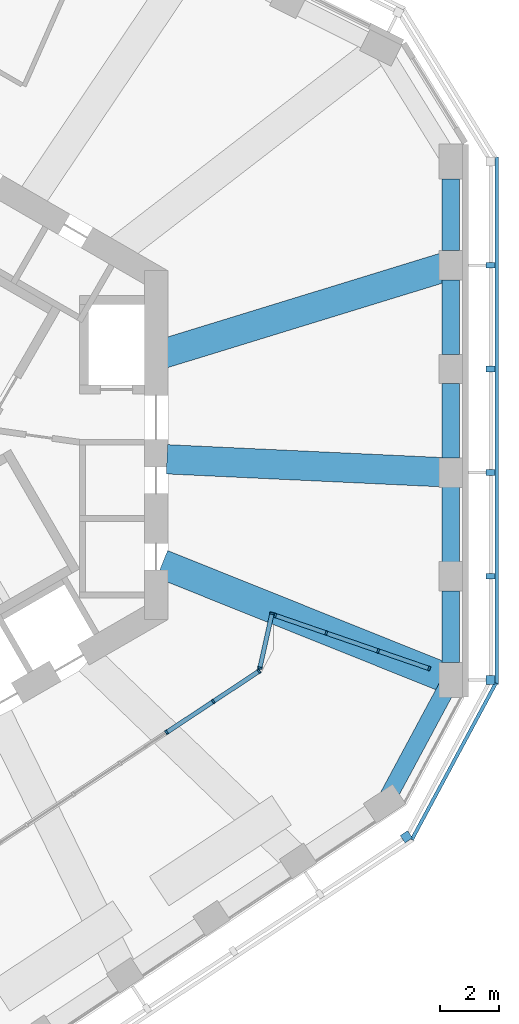
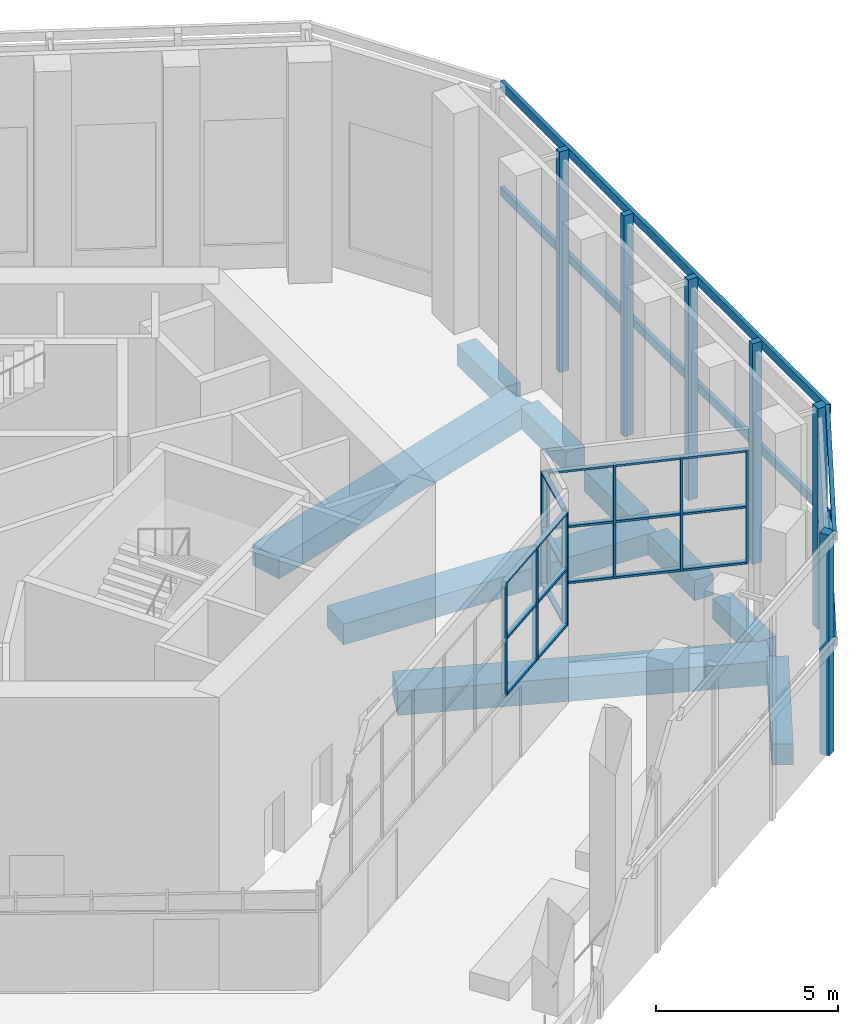
# One storey, part 5 of 17: 37 members, 9 beams, 6 elements without a shape of their own.
"""IFC4 building model written with IfcOpenShell, lengths in metres."""

from ifc_helpers import new_model, si_unit, direction, frame, origin, origin_2d, place, context, subcontext, project, spatial, rectangle, extrude, material, material_profile, profile_set, type_object, element, aggregate, save


model = new_model("IFC4")

# Units and contexts
model_context = context("Model", 3, precision=1e-05, world=origin(), true_north=direction((0.0, 1.0)))
body_context = subcontext(model_context, "Body", "Model", "MODEL_VIEW")
ifc_project = project(units=[si_unit("LENGTHUNIT", "METRE"), si_unit("AREAUNIT", "SQUARE_METRE"), si_unit("VOLUMEUNIT", "CUBIC_METRE"), si_unit("PLANEANGLEUNIT", "RADIAN"), si_unit("MASSUNIT", "GRAM", prefix="KILO")], contexts=[model_context])

# Site, building, storey
site_placement = place(None, origin())
site = spatial("IfcSite", under=ifc_project, at=site_placement, CompositionType="ELEMENT")
building_placement = place(site_placement, origin())
building = spatial("IfcBuilding", under=site, at=building_placement, Name="Vanh Sen Convention Tower", CompositionType="ELEMENT")
storey_placement = place(building_placement, frame((0.0, 0.0, 214.300048828125)))
storey = spatial("IfcBuildingStorey", under=building, at=storey_placement, Name="L53", CompositionType="ELEMENT", Elevation=214.300048828125)

# Curtain wall, members
ifc_material_1 = material(Name="Aluminium structural glazing system", Category="aluminium")
curtain_wall_type_1 = type_object("IfcCurtainWallType", Name="Sky garden structural glazing", PredefinedType="NOTDEFINED", material=ifc_material_1)
curtain_wall_1_placement = place(storey_placement, origin())
curtain_wall_1 = element("IfcCurtainWall", 1, at=curtain_wall_1_placement, inside=storey, type_object=curtain_wall_type_1, Name="Winter garden glazing 1 L53", PredefinedType="NOTDEFINED")
ifc_material_2 = material(Name="Aluminium mullion", Category="aluminium")
ifc_material_profile_1 = material_profile(ifc_material_2, rectangle(XDim=0.14990234375, YDim=0.070068359375, at=origin_2d()), Name="Garden glazing mullion 70 x 150")
ifc_profile_set_1 = profile_set([ifc_material_profile_1], Name="Aluminium mullion")
member_type_1 = type_object("IfcMemberType", Name="Garden glazing mullion 70 x 150", PredefinedType="MULLION", material=ifc_profile_set_1)
member_1_placement = place(storey_placement, frame((19.208984375, -7.611328125, 2.599853515625), z_axis=(0.0, 0.0, 1.0), x_axis=(-0.325698899742, -0.945473546276, 0.0)))
member_1 = element("IfcMember", 2, at=member_1_placement, type_object=member_type_1, Name="CW5 mullion 1", PredefinedType="MULLION", context=body_context, shape_type="SweptSolid", body=[
    extrude(rectangle(XDim=0.14990234375, YDim=0.070068359375, at=origin_2d()), origin(), (0.0, 0.0, 1.0), 3.820068359375),
])
member_2_placement = place(storey_placement, frame((17.470947265625, -7.0126953125, 2.599853515625), z_axis=(0.0, 0.0, 1.0), x_axis=(-0.325698899742, -0.945473546276, 0.0)))
member_2 = element("IfcMember", 3, at=member_2_placement, type_object=member_type_1, Name="CW5 mullion 2", PredefinedType="MULLION", context=body_context, shape_type="SweptSolid", body=[
    extrude(rectangle(XDim=0.14990234375, YDim=0.070068359375, at=origin_2d()), origin(), (0.0, 0.0, 1.0), 3.820068359375),
])
member_3_placement = place(storey_placement, frame((15.699951171875, -6.402587890625, 2.599853515625), z_axis=(0.0, 0.0, 1.0), x_axis=(-0.325698899742, -0.945473546276, 0.0)))
member_3 = element("IfcMember", 4, at=member_3_placement, type_object=member_type_1, Name="CW5 mullion 3", PredefinedType="MULLION", context=body_context, shape_type="SweptSolid", body=[
    extrude(rectangle(XDim=0.14990234375, YDim=0.070068359375, at=origin_2d()), origin(), (0.0, 0.0, 1.0), 3.820068359375),
])
member_4_placement = place(storey_placement, frame((13.962158203125, -5.803955078125, 2.599853515625), z_axis=(0.0, 0.0, 1.0), x_axis=(-0.325698899742, -0.945473546276, 0.0)))
member_4 = element("IfcMember", 5, at=member_4_placement, type_object=member_type_1, Name="CW5 mullion 4", PredefinedType="MULLION", context=body_context, shape_type="SweptSolid", body=[
    extrude(rectangle(XDim=0.14990234375, YDim=0.070068359375, at=origin_2d()), origin(), (0.0, 0.0, 1.0), 3.820068359375),
])

curtain_wall_2_placement = place(storey_placement, origin())
curtain_wall_2 = element("IfcCurtainWall", 6, at=curtain_wall_2_placement, inside=storey, type_object=curtain_wall_type_1, Name="Winter garden glazing 2 L53", PredefinedType="NOTDEFINED")
member_5_placement = place(storey_placement, frame((13.851806640625, -5.733154296875, 2.599853515625), z_axis=(0.0, 0.0, 1.0), x_axis=(0.976221599786, -0.216774971138, 0.0)))
member_5 = element("IfcMember", 7, at=member_5_placement, type_object=member_type_1, Name="CW5 mullion 1", PredefinedType="MULLION", context=body_context, shape_type="SweptSolid", body=[
    extrude(rectangle(XDim=0.14990234375, YDim=0.070068359375, at=origin_2d()), origin(), (0.0, 0.0, 1.0), 3.820068359375),
])
member_6_placement = place(storey_placement, frame((13.438720703125, -7.5927734375, 2.599853515625), z_axis=(0.0, 0.0, 1.0), x_axis=(0.976221599786, -0.216774971138, 0.0)))
member_6 = element("IfcMember", 8, at=member_6_placement, type_object=member_type_1, Name="CW5 mullion 2", PredefinedType="MULLION", context=body_context, shape_type="SweptSolid", body=[
    extrude(rectangle(XDim=0.14990234375, YDim=0.070068359375, at=origin_2d()), origin(), (0.0, 0.0, 1.0), 3.820068359375),
])

curtain_wall_3_placement = place(storey_placement, origin())
curtain_wall_3 = element("IfcCurtainWall", 9, at=curtain_wall_3_placement, inside=storey, type_object=curtain_wall_type_1, Name="Winter garden glazing 3 L53", PredefinedType="NOTDEFINED")
member_7_placement = place(storey_placement, frame((13.4111328125, -7.70263671875, 2.599853515625), z_axis=(0.0, 0.0, 1.0), x_axis=(0.551932223653, -0.833888973721, 0.0)))
member_7 = element("IfcMember", 10, at=member_7_placement, type_object=member_type_1, Name="CW5 mullion 1", PredefinedType="MULLION", context=body_context, shape_type="SweptSolid", body=[
    extrude(rectangle(XDim=0.14990234375, YDim=0.070068359375, at=origin_2d()), origin(), (0.0, 0.0, 1.0), 3.820068359375),
])
member_8_placement = place(storey_placement, frame((11.850830078125, -8.7353515625, 2.599853515625), z_axis=(0.0, 0.0, 1.0), x_axis=(0.551932223653, -0.833888973721, 0.0)))
member_8 = element("IfcMember", 11, at=member_8_placement, type_object=member_type_1, Name="CW5 mullion 2", PredefinedType="MULLION", context=body_context, shape_type="SweptSolid", body=[
    extrude(rectangle(XDim=0.14990234375, YDim=0.070068359375, at=origin_2d()), origin(), (0.0, 0.0, 1.0), 3.820068359375),
])
member_9_placement = place(storey_placement, frame((10.26123046875, -9.787353515625, 2.599853515625), z_axis=(0.0, 0.0, 1.0), x_axis=(0.551932223653, -0.833888973721, 0.0)))
member_9 = element("IfcMember", 12, at=member_9_placement, type_object=member_type_1, Name="CW5 mullion 3", PredefinedType="MULLION", context=body_context, shape_type="SweptSolid", body=[
    extrude(rectangle(XDim=0.14990234375, YDim=0.070068359375, at=origin_2d()), origin(), (0.0, 0.0, 1.0), 3.820068359375),
])

# Member
ifc_material_3 = material(Name="Aluminium transom", Category="aluminium")
ifc_material_profile_2 = material_profile(ifc_material_3, rectangle(XDim=0.14990234375, YDim=0.070068359375, at=origin_2d()), Name="Garden glazing transom 150 x 70")
ifc_profile_set_2 = profile_set([ifc_material_profile_2], Name="Aluminium transom")
member_type_2 = type_object("IfcMemberType", Name="Garden glazing transom 150 x 70", PredefinedType="USERDEFINED", material=ifc_profile_set_2)
member_10_placement = place(storey_placement, frame((19.17578125, -7.60009765625, 2.635009765625), z_axis=(-0.945459525778, 0.325739597095, 0.0), x_axis=(-0.325739597095, -0.945459525778, 0.0)))
member_10 = element("IfcMember", 13, at=member_10_placement, type_object=member_type_2, Name="CW5 transom 1.1", ObjectType="TRANSOM", PredefinedType="USERDEFINED", context=body_context, shape_type="SweptSolid", body=[
    extrude(rectangle(XDim=0.14990234375, YDim=0.070068359375, at=origin_2d()), origin(), (0.0, 0.0, 1.0), 1.76806640625),
])

member_11_placement = place(storey_placement, frame((19.17578125, -7.60009765625, 4.510009765625), z_axis=(-0.945459525778, 0.325739597095, 0.0), x_axis=(-0.325739597095, -0.945459525778, 0.0)))
member_11 = element("IfcMember", 14, at=member_11_placement, type_object=member_type_2, Name="CW5 transom 1.2", ObjectType="TRANSOM", PredefinedType="USERDEFINED", context=body_context, shape_type="SweptSolid", body=[
    extrude(rectangle(XDim=0.14990234375, YDim=0.070068359375, at=origin_2d()), origin(), (0.0, 0.0, 1.0), 1.76806640625),
])

member_12_placement = place(storey_placement, frame((19.17578125, -7.60009765625, 6.385009765625), z_axis=(-0.945459525778, 0.325739597095, 0.0), x_axis=(-0.325739597095, -0.945459525778, 0.0)))
member_12 = element("IfcMember", 15, at=member_12_placement, type_object=member_type_2, Name="CW5 transom 1.3", ObjectType="TRANSOM", PredefinedType="USERDEFINED", context=body_context, shape_type="SweptSolid", body=[
    extrude(rectangle(XDim=0.14990234375, YDim=0.070068359375, at=origin_2d()), origin(), (0.0, 0.0, 1.0), 1.76806640625),
])

member_13_placement = place(storey_placement, frame((17.43798828125, -7.001220703125, 2.635009765625), z_axis=(-0.945495220762, 0.325635973927, 0.0), x_axis=(-0.325635973927, -0.945495220762, 0.0)))
member_13 = element("IfcMember", 16, at=member_13_placement, type_object=member_type_2, Name="CW5 transom 2.1", ObjectType="TRANSOM", PredefinedType="USERDEFINED", context=body_context, shape_type="SweptSolid", body=[
    extrude(rectangle(XDim=0.14990234375, YDim=0.070068359375, at=origin_2d()), origin(), (0.0, 0.0, 1.0), 1.80322265625),
])

member_14_placement = place(storey_placement, frame((17.43798828125, -7.001220703125, 4.510009765625), z_axis=(-0.945495220762, 0.325635973927, 0.0), x_axis=(-0.325635973927, -0.945495220762, 0.0)))
member_14 = element("IfcMember", 17, at=member_14_placement, type_object=member_type_2, Name="CW5 transom 2.2", ObjectType="TRANSOM", PredefinedType="USERDEFINED", context=body_context, shape_type="SweptSolid", body=[
    extrude(rectangle(XDim=0.14990234375, YDim=0.070068359375, at=origin_2d()), origin(), (0.0, 0.0, 1.0), 1.80322265625),
])

member_15_placement = place(storey_placement, frame((17.43798828125, -7.001220703125, 6.385009765625), z_axis=(-0.945495220762, 0.325635973927, 0.0), x_axis=(-0.325635973927, -0.945495220762, 0.0)))
member_15 = element("IfcMember", 18, at=member_15_placement, type_object=member_type_2, Name="CW5 transom 2.3", ObjectType="TRANSOM", PredefinedType="USERDEFINED", context=body_context, shape_type="SweptSolid", body=[
    extrude(rectangle(XDim=0.14990234375, YDim=0.070068359375, at=origin_2d()), origin(), (0.0, 0.0, 1.0), 1.80322265625),
])

member_16_placement = place(storey_placement, frame((15.6669921875, -6.391357421875, 2.635009765625), z_axis=(-0.945459525778, 0.325739597095, 0.0), x_axis=(-0.325739597095, -0.945459525778, 0.0)))
member_16 = element("IfcMember", 19, at=member_16_placement, type_object=member_type_2, Name="CW5 transom 3.1", ObjectType="TRANSOM", PredefinedType="USERDEFINED", context=body_context, shape_type="SweptSolid", body=[
    extrude(rectangle(XDim=0.14990234375, YDim=0.070068359375, at=origin_2d()), origin(), (0.0, 0.0, 1.0), 1.76806640625),
])

member_17_placement = place(storey_placement, frame((15.6669921875, -6.391357421875, 4.510009765625), z_axis=(-0.945459525778, 0.325739597095, 0.0), x_axis=(-0.325739597095, -0.945459525778, 0.0)))
member_17 = element("IfcMember", 20, at=member_17_placement, type_object=member_type_2, Name="CW5 transom 3.2", ObjectType="TRANSOM", PredefinedType="USERDEFINED", context=body_context, shape_type="SweptSolid", body=[
    extrude(rectangle(XDim=0.14990234375, YDim=0.070068359375, at=origin_2d()), origin(), (0.0, 0.0, 1.0), 1.76806640625),
])

member_18_placement = place(storey_placement, frame((15.6669921875, -6.391357421875, 6.385009765625), z_axis=(-0.945459525778, 0.325739597095, 0.0), x_axis=(-0.325739597095, -0.945459525778, 0.0)))
member_18 = element("IfcMember", 21, at=member_18_placement, type_object=member_type_2, Name="CW5 transom 3.3", ObjectType="TRANSOM", PredefinedType="USERDEFINED", context=body_context, shape_type="SweptSolid", body=[
    extrude(rectangle(XDim=0.14990234375, YDim=0.070068359375, at=origin_2d()), origin(), (0.0, 0.0, 1.0), 1.76806640625),
])

aggregate(curtain_wall_1, [member_1, member_2, member_3, member_4, member_10, member_11, member_12, member_13, member_14, member_15, member_16, member_17, member_18])

member_19_placement = place(storey_placement, frame((13.84423828125, -5.767333984375, 2.635009765625), z_axis=(-0.216874106192, -0.976199581061, 0.0), x_axis=(0.976199581061, -0.216874106192, 0.0)))
member_19 = element("IfcMember", 22, at=member_19_placement, type_object=member_type_2, Name="CW5 transom 1.1", ObjectType="TRANSOM", PredefinedType="USERDEFINED", context=body_context, shape_type="SweptSolid", body=[
    extrude(rectangle(XDim=0.14990234375, YDim=0.070068359375, at=origin_2d()), origin(), (0.0, 0.0, 1.0), 1.8349609375),
])

member_20_placement = place(storey_placement, frame((13.84423828125, -5.767333984375, 4.510009765625), z_axis=(-0.216874106192, -0.976199581061, 0.0), x_axis=(0.976199581061, -0.216874106192, 0.0)))
member_20 = element("IfcMember", 23, at=member_20_placement, type_object=member_type_2, Name="CW5 transom 1.2", ObjectType="TRANSOM", PredefinedType="USERDEFINED", context=body_context, shape_type="SweptSolid", body=[
    extrude(rectangle(XDim=0.14990234375, YDim=0.070068359375, at=origin_2d()), origin(), (0.0, 0.0, 1.0), 1.8349609375),
])

member_21_placement = place(storey_placement, frame((13.84423828125, -5.767333984375, 6.385009765625), z_axis=(-0.216874106192, -0.976199581061, 0.0), x_axis=(0.976199581061, -0.216874106192, 0.0)))
member_21 = element("IfcMember", 24, at=member_21_placement, type_object=member_type_2, Name="CW5 transom 1.3", ObjectType="TRANSOM", PredefinedType="USERDEFINED", context=body_context, shape_type="SweptSolid", body=[
    extrude(rectangle(XDim=0.14990234375, YDim=0.070068359375, at=origin_2d()), origin(), (0.0, 0.0, 1.0), 1.8349609375),
])

aggregate(curtain_wall_2, [member_5, member_6, member_19, member_20, member_21])

member_22_placement = place(storey_placement, frame((13.3818359375, -7.721923828125, 2.635009765625), z_axis=(-0.833901925622, -0.551912654724, 0.0), x_axis=(0.551912654724, -0.833901925622, 0.0)))
member_22 = element("IfcMember", 25, at=member_22_placement, type_object=member_type_2, Name="CW5 transom 1.1", ObjectType="TRANSOM", PredefinedType="USERDEFINED", context=body_context, shape_type="SweptSolid", body=[
    extrude(rectangle(XDim=0.14990234375, YDim=0.070068359375, at=origin_2d()), origin(), (0.0, 0.0, 1.0), 1.80078125),
])

member_23_placement = place(storey_placement, frame((13.3818359375, -7.721923828125, 4.510009765625), z_axis=(-0.833901925622, -0.551912654724, 0.0), x_axis=(0.551912654724, -0.833901925622, 0.0)))
member_23 = element("IfcMember", 26, at=member_23_placement, type_object=member_type_2, Name="CW5 transom 1.2", ObjectType="TRANSOM", PredefinedType="USERDEFINED", context=body_context, shape_type="SweptSolid", body=[
    extrude(rectangle(XDim=0.14990234375, YDim=0.070068359375, at=origin_2d()), origin(), (0.0, 0.0, 1.0), 1.80078125),
])

member_24_placement = place(storey_placement, frame((13.3818359375, -7.721923828125, 6.385009765625), z_axis=(-0.833901925622, -0.551912654724, 0.0), x_axis=(0.551912654724, -0.833901925622, 0.0)))
member_24 = element("IfcMember", 27, at=member_24_placement, type_object=member_type_2, Name="CW5 transom 1.3", ObjectType="TRANSOM", PredefinedType="USERDEFINED", context=body_context, shape_type="SweptSolid", body=[
    extrude(rectangle(XDim=0.14990234375, YDim=0.070068359375, at=origin_2d()), origin(), (0.0, 0.0, 1.0), 1.80078125),
])

member_25_placement = place(storey_placement, frame((11.821533203125, -8.754638671875, 2.635009765625), z_axis=(-0.833866503842, -0.551966170857, 0.0), x_axis=(0.551966170857, -0.833866503842, 0.0)))
member_25 = element("IfcMember", 28, at=member_25_placement, type_object=member_type_2, Name="CW5 transom 2.1", ObjectType="TRANSOM", PredefinedType="USERDEFINED", context=body_context, shape_type="SweptSolid", body=[
    extrude(rectangle(XDim=0.14990234375, YDim=0.070068359375, at=origin_2d()), origin(), (0.0, 0.0, 1.0), 1.8359375),
])

member_26_placement = place(storey_placement, frame((11.821533203125, -8.754638671875, 4.510009765625), z_axis=(-0.833866503842, -0.551966170857, 0.0), x_axis=(0.551966170857, -0.833866503842, 0.0)))
member_26 = element("IfcMember", 29, at=member_26_placement, type_object=member_type_2, Name="CW5 transom 2.2", ObjectType="TRANSOM", PredefinedType="USERDEFINED", context=body_context, shape_type="SweptSolid", body=[
    extrude(rectangle(XDim=0.14990234375, YDim=0.070068359375, at=origin_2d()), origin(), (0.0, 0.0, 1.0), 1.8359375),
])

member_27_placement = place(storey_placement, frame((11.821533203125, -8.754638671875, 6.385009765625), z_axis=(-0.833866503842, -0.551966170857, 0.0), x_axis=(0.551966170857, -0.833866503842, 0.0)))
member_27 = element("IfcMember", 30, at=member_27_placement, type_object=member_type_2, Name="CW5 transom 2.3", ObjectType="TRANSOM", PredefinedType="USERDEFINED", context=body_context, shape_type="SweptSolid", body=[
    extrude(rectangle(XDim=0.14990234375, YDim=0.070068359375, at=origin_2d()), origin(), (0.0, 0.0, 1.0), 1.8359375),
])

aggregate(curtain_wall_3, [member_7, member_8, member_9, member_22, member_23, member_24, member_25, member_26, member_27])

# Curtain wall, member
ifc_material_4 = material(Name="Concrete C50/60", Category="concrete")
curtain_wall_type_2 = type_object("IfcCurtainWallType", Name="Outer skin office zone", PredefinedType="NOTDEFINED", material=ifc_material_4)
curtain_wall_4_placement = place(storey_placement, origin())
curtain_wall_4 = element("IfcCurtainWall", 31, at=curtain_wall_4_placement, inside=storey, type_object=curtain_wall_type_2, Name="OUTER SKIN E L53", PredefinedType="NOTDEFINED")
ifc_material_profile_3 = material_profile(ifc_material_4, rectangle(XDim=0.300048828125, YDim=0.300048828125, at=origin_2d()), Name="Outer skin precast corner fin 300 x 300")
ifc_profile_set_3 = profile_set([ifc_material_profile_3], Name="Concrete C50/60")
member_type_3 = type_object("IfcMemberType", Name="Outer skin precast corner fin 300 x 300", PredefinedType="MULLION", material=ifc_profile_set_3)
member_28_placement = place(storey_placement, frame((21.300048828125, -8.002685546875, 0.0), z_axis=(0.0, 0.0, 1.0), x_axis=(0.0, 1.0, 0.0)))
member_28 = element("IfcMember", 32, at=member_28_placement, type_object=member_type_3, Name="OUTER SKIN CORNER FIN 1 E L53", PredefinedType="MULLION", context=body_context, shape_type="SweptSolid", body=[
    extrude(rectangle(XDim=0.300048828125, YDim=0.300048828125, at=origin_2d()), origin(), (0.0, 0.0, 1.0), 7.39990234375),
])

curtain_wall_5_placement = place(storey_placement, origin())
curtain_wall_5 = element("IfcCurtainWall", 33, at=curtain_wall_5_placement, inside=storey, type_object=curtain_wall_type_2, Name="OUTER SKIN SE L53", PredefinedType="NOTDEFINED")
member_29_placement = place(storey_placement, frame((18.4296875, -13.3447265625, 0.0), z_axis=(0.0, 0.0, 1.0), x_axis=(0.833885822067, 0.551936985312, 0.0)))
member_29 = element("IfcMember", 34, at=member_29_placement, type_object=member_type_3, Name="OUTER SKIN CORNER FIN 6 SE L53", PredefinedType="MULLION", context=body_context, shape_type="SweptSolid", body=[
    extrude(rectangle(XDim=0.300048828125, YDim=0.300048828125, at=origin_2d()), origin(), (0.0, 0.0, 1.0), 7.39990234375),
])
aggregate(curtain_wall_5, [member_29])

# Member
ifc_material_profile_4 = material_profile(ifc_material_4, rectangle(XDim=0.199951171875, YDim=0.300048828125, at=origin_2d()), Name="Outer skin precast fin 200 x 300")
ifc_profile_set_4 = profile_set([ifc_material_profile_4], Name="Concrete C50/60")
member_type_4 = type_object("IfcMemberType", Name="Outer skin precast fin 200 x 300", PredefinedType="MULLION", material=ifc_profile_set_4)
member_30_placement = place(storey_placement, frame((21.300048828125, -4.46923828125, 0.0), z_axis=(0.0, 0.0, 1.0), x_axis=(0.0, 1.0, 0.0)))
member_30 = element("IfcMember", 35, at=member_30_placement, type_object=member_type_4, Name="OUTER SKIN fin 2 E L53", PredefinedType="MULLION", context=body_context, shape_type="SweptSolid", body=[
    extrude(rectangle(XDim=0.199951171875, YDim=0.300048828125, at=origin_2d()), origin(), (0.0, 0.0, 1.0), 7.39990234375),
])

member_31_placement = place(storey_placement, frame((21.300048828125, -0.935546875, 0.0), z_axis=(0.0, 0.0, 1.0), x_axis=(0.0, 1.0, 0.0)))
member_31 = element("IfcMember", 36, at=member_31_placement, type_object=member_type_4, Name="OUTER SKIN fin 3 E L53", PredefinedType="MULLION", context=body_context, shape_type="SweptSolid", body=[
    extrude(rectangle(XDim=0.199951171875, YDim=0.300048828125, at=origin_2d()), origin(), (0.0, 0.0, 1.0), 7.39990234375),
])

member_32_placement = place(storey_placement, frame((21.300048828125, 2.59814453125, 0.0), z_axis=(0.0, 0.0, 1.0), x_axis=(0.0, 1.0, 0.0)))
member_32 = element("IfcMember", 37, at=member_32_placement, type_object=member_type_4, Name="OUTER SKIN fin 4 E L53", PredefinedType="MULLION", context=body_context, shape_type="SweptSolid", body=[
    extrude(rectangle(XDim=0.199951171875, YDim=0.300048828125, at=origin_2d()), origin(), (0.0, 0.0, 1.0), 7.39990234375),
])

member_33_placement = place(storey_placement, frame((21.300048828125, 6.131591796875, 0.0), z_axis=(0.0, 0.0, 1.0), x_axis=(0.0, 1.0, 0.0)))
member_33 = element("IfcMember", 38, at=member_33_placement, type_object=member_type_4, Name="OUTER SKIN fin 5 E L53", PredefinedType="MULLION", context=body_context, shape_type="SweptSolid", body=[
    extrude(rectangle(XDim=0.199951171875, YDim=0.300048828125, at=origin_2d()), origin(), (0.0, 0.0, 1.0), 7.39990234375),
])

ifc_material_profile_5 = material_profile(ifc_material_4, rectangle(XDim=0.1201171875, YDim=0.300048828125, at=origin_2d()), Name="Outer skin precast spandrel band 300 x 120")
ifc_profile_set_5 = profile_set([ifc_material_profile_5], Name="Concrete C50/60")
member_type_5 = type_object("IfcMemberType", Name="Outer skin precast spandrel band 300 x 120", PredefinedType="USERDEFINED", material=ifc_profile_set_5)
member_34_placement = place(storey_placement, frame((21.510009765625, -8.15283203125, 7.25), z_axis=(0.0, 1.0, 0.0), x_axis=(-1.0, 0.0, 0.0)))
member_34 = element("IfcMember", 39, at=member_34_placement, type_object=member_type_5, Name="OUTER SKIN spandrel band E L53", ObjectType="TRANSOM", PredefinedType="USERDEFINED", context=body_context, shape_type="SweptSolid", body=[
    extrude(rectangle(XDim=0.1201171875, YDim=0.300048828125, at=origin_2d()), origin(), (0.0, 0.0, 1.0), 17.96826171875),
])

member_35_placement = place(storey_placement, frame((21.510009765625, -8.15283203125, 3.699951171875), z_axis=(0.0, 1.0, 0.0), x_axis=(-1.0, 0.0, 0.0)))
member_35 = element("IfcMember", 40, at=member_35_placement, type_object=member_type_5, Name="OUTER SKIN spandrel band E L53 mid", ObjectType="TRANSOM", PredefinedType="USERDEFINED", context=body_context, shape_type="SweptSolid", body=[
    extrude(rectangle(XDim=0.1201171875, YDim=0.300048828125, at=origin_2d()), origin(), (0.0, 0.0, 1.0), 17.96826171875),
])

aggregate(curtain_wall_4, [member_28, member_30, member_31, member_32, member_33, member_34, member_35])

# Curtain wall, members
curtain_wall_6_placement = place(storey_placement, origin())
curtain_wall_6 = element("IfcCurtainWall", 41, at=curtain_wall_6_placement, inside=storey, type_object=curtain_wall_type_2, Name="OUTER SKIN CH6 L53", PredefinedType="NOTDEFINED")
member_36_placement = place(storey_placement, frame((18.61474609375, -13.444091796875, 7.25), z_axis=(0.473333785199, 0.880883152177, 0.0), x_axis=(-0.880883152177, 0.473333785199, 0.0)))
member_36 = element("IfcMember", 42, at=member_36_placement, type_object=member_type_5, Name="OUTER SKIN spandrel band CH6 L53", ObjectType="TRANSOM", PredefinedType="USERDEFINED", context=body_context, shape_type="SweptSolid", body=[
    extrude(rectangle(XDim=0.1201171875, YDim=0.300048828125, at=origin_2d()), origin(), (0.0, 0.0, 1.0), 6.064208984375),
])
member_37_placement = place(storey_placement, frame((18.61474609375, -13.444091796875, 3.699951171875), z_axis=(0.473333785199, 0.880883152177, 0.0), x_axis=(-0.880883152177, 0.473333785199, 0.0)))
member_37 = element("IfcMember", 43, at=member_37_placement, type_object=member_type_5, Name="OUTER SKIN spandrel band CH6 L53 mid", ObjectType="TRANSOM", PredefinedType="USERDEFINED", context=body_context, shape_type="SweptSolid", body=[
    extrude(rectangle(XDim=0.1201171875, YDim=0.300048828125, at=origin_2d()), origin(), (0.0, 0.0, 1.0), 6.064208984375),
])
aggregate(curtain_wall_6, [member_36, member_37])

# Beams
ifc_material_5 = material(Name="Concrete C50/60", Category="concrete")
ifc_material_profile_6 = material_profile(ifc_material_5, rectangle(XDim=1.0, YDim=0.699951171875, at=origin_2d()), Name="RC 1000X700")
ifc_profile_set_6 = profile_set([ifc_material_profile_6], Name="Concrete C50/60")
beam_type_1 = type_object("IfcBeamType", Name="Radial floor beam 1000 x 700", PredefinedType="BEAM", material=ifc_profile_set_6)
beam_1_placement = place(storey_placement, frame((19.943359375, -0.935302734375, -0.699951171875), z_axis=(-0.998901994709, 0.046848745612, 0.0), x_axis=(-0.046848745612, -0.998901994709, 0.0)))
element("IfcBeam", 44, at=beam_1_placement, inside=storey, type_object=beam_type_1, Name="Radial beam 02 L53", PredefinedType="BEAM", context=body_context, shape_type="SweptSolid", body=[
    extrude(rectangle(XDim=1.0, YDim=0.699951171875, at=origin_2d()), origin(), (0.0, 0.0, 1.0), 9.6826171875),
])
beam_2_placement = place(storey_placement, frame((19.883056640625, 6.111083984375, -0.699951171875), z_axis=(-0.955872776135, -0.293780931723, 0.0), x_axis=(0.293780931723, -0.955872776135, 0.0)))
element("IfcBeam", 45, at=beam_2_placement, inside=storey, type_object=beam_type_1, Name="Radial beam 03 L53", PredefinedType="BEAM", context=body_context, shape_type="SweptSolid", body=[
    extrude(rectangle(XDim=1.0, YDim=0.699951171875, at=origin_2d()), origin(), (0.0, 0.0, 1.0), 10.184326171875),
])
ifc_material_profile_7 = material_profile(ifc_material_5, rectangle(XDim=1.0, YDim=0.800048828125, at=origin_2d()), Name="RC 1000X800")
ifc_profile_set_7 = profile_set([ifc_material_profile_7], Name="Concrete C50/60")
beam_type_2 = type_object("IfcBeamType", Name="Radial floor beam 1000 x 800", PredefinedType="BEAM", material=ifc_profile_set_7)
beam_3_placement = place(storey_placement, frame((19.74072265625, -7.9189453125, -0.75), z_axis=(-0.92810631139, 0.372315289449, 0.0), x_axis=(-0.372315289449, -0.92810631139, 0.0)))
element("IfcBeam", 46, at=beam_3_placement, inside=storey, type_object=beam_type_2, Name="Radial beam 01 L53", PredefinedType="BEAM", context=body_context, shape_type="SweptSolid", body=[
    extrude(rectangle(XDim=1.0, YDim=0.800048828125, at=origin_2d()), origin(), (0.0, 0.0, 1.0), 10.377685546875),
])
ifc_material_profile_8 = material_profile(ifc_material_5, rectangle(XDim=0.60009765625, YDim=0.699951171875, at=origin_2d()), Name="RC 600X700")
ifc_profile_set_8 = profile_set([ifc_material_profile_8], Name="Concrete C50/60")
beam_type_3 = type_object("IfcBeamType", Name="Spandrel beam 600 x 700", PredefinedType="SPANDREL", material=ifc_profile_set_8)
beam_4_placement = place(storey_placement, frame((19.949951171875, -7.40771484375, -0.699951171875), z_axis=(0.0, 1.0, 0.0), x_axis=(-1.0, 0.0, 0.0)))
element("IfcBeam", 47, at=beam_4_placement, inside=storey, type_object=beam_type_3, Name="Spandrel beam 01 L53", PredefinedType="SPANDREL", context=body_context, shape_type="SweptSolid", body=[
    extrude(rectangle(XDim=0.60009765625, YDim=0.699951171875, at=origin_2d()), origin(), (0.0, 0.0, 1.0), 2.443603515625),
])
beam_5_placement = place(storey_placement, frame((19.949951171875, -3.97412109375, -0.699951171875), z_axis=(0.0, 1.0, 0.0), x_axis=(-1.0, 0.0, 0.0)))
element("IfcBeam", 48, at=beam_5_placement, inside=storey, type_object=beam_type_3, Name="Spandrel beam 02 L53", PredefinedType="SPANDREL", context=body_context, shape_type="SweptSolid", body=[
    extrude(rectangle(XDim=0.60009765625, YDim=0.699951171875, at=origin_2d()), origin(), (0.0, 0.0, 1.0), 2.543701171875),
])
beam_6_placement = place(storey_placement, frame((19.949951171875, -0.4404296875, -0.699951171875), z_axis=(0.0, 1.0, 0.0), x_axis=(-1.0, 0.0, 0.0)))
element("IfcBeam", 49, at=beam_6_placement, inside=storey, type_object=beam_type_3, Name="Spandrel beam 03 L53", PredefinedType="SPANDREL", context=body_context, shape_type="SweptSolid", body=[
    extrude(rectangle(XDim=0.60009765625, YDim=0.699951171875, at=origin_2d()), origin(), (0.0, 0.0, 1.0), 2.54345703125),
])
beam_7_placement = place(storey_placement, frame((19.949951171875, 3.093017578125, -0.699951171875), z_axis=(0.0, 1.0, 0.0), x_axis=(-1.0, 0.0, 0.0)))
element("IfcBeam", 50, at=beam_7_placement, inside=storey, type_object=beam_type_3, Name="Spandrel beam 04 L53", PredefinedType="SPANDREL", context=body_context, shape_type="SweptSolid", body=[
    extrude(rectangle(XDim=0.60009765625, YDim=0.699951171875, at=origin_2d()), origin(), (0.0, 0.0, 1.0), 2.543701171875),
])
beam_8_placement = place(storey_placement, frame((19.949951171875, 6.626708984375, -0.699951171875), z_axis=(0.0, 1.0, 0.0), x_axis=(-1.0, 0.0, 0.0)))
element("IfcBeam", 51, at=beam_8_placement, inside=storey, type_object=beam_type_3, Name="Spandrel beam 05 L53", PredefinedType="SPANDREL", context=body_context, shape_type="SweptSolid", body=[
    extrude(rectangle(XDim=0.60009765625, YDim=0.699951171875, at=origin_2d()), origin(), (0.0, 0.0, 1.0), 2.443603515625),
])
beam_9_placement = place(storey_placement, frame((17.81787109375, -11.970703125, -0.699951171875), z_axis=(0.47333769733, 0.880881050021, 0.0), x_axis=(-0.880881050021, 0.47333769733, 0.0)))
element("IfcBeam", 52, at=beam_9_placement, inside=storey, type_object=beam_type_3, Name="Spandrel beam 36 L53", PredefinedType="SPANDREL", context=body_context, shape_type="SweptSolid", body=[
    extrude(rectangle(XDim=0.60009765625, YDim=0.699951171875, at=origin_2d()), origin(), (0.0, 0.0, 1.0), 4.22265625),
])

save(model, "model.ifc")
